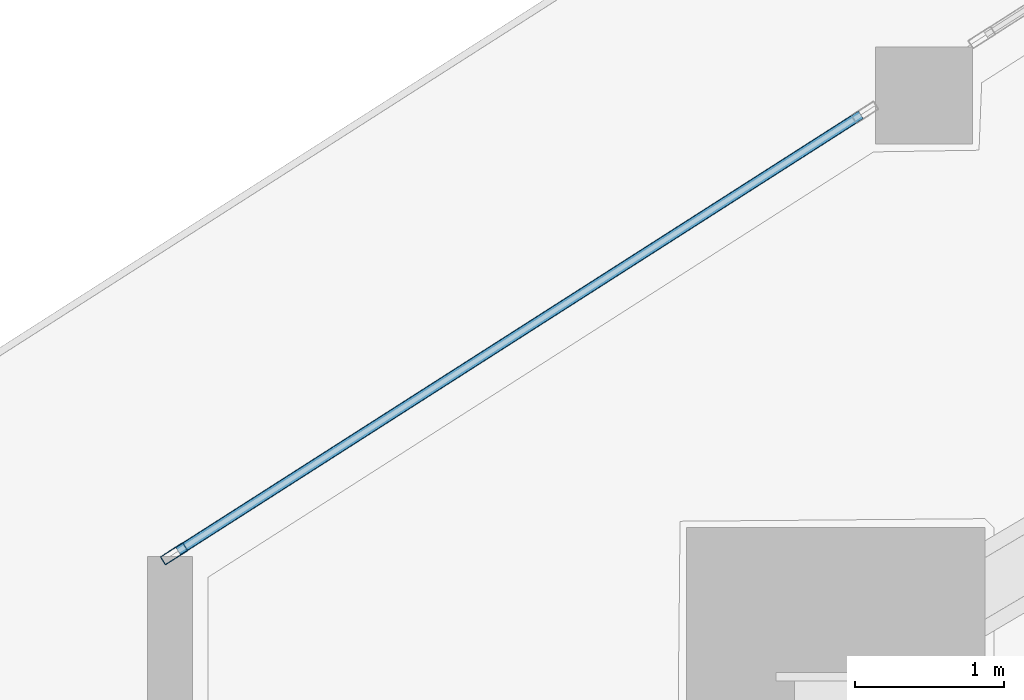
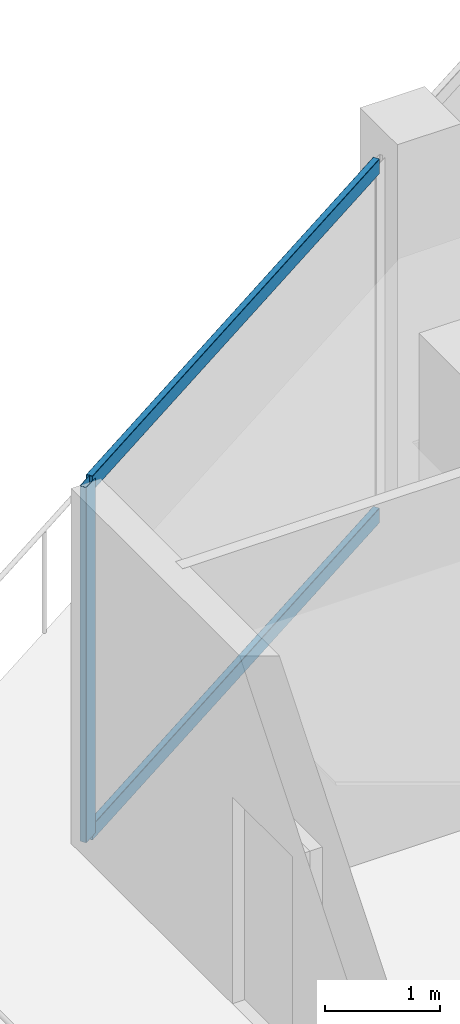
# One storey, part 8 of 43: 3 members, 1 element without a shape of its own.
"""IFC4 building model written with IfcOpenShell, lengths in metres."""

from ifc_helpers import new_model, si_unit, direction, frame, origin, origin_2d, place, context, subcontext, project, spatial, hollow_rectangle, extrude, material, layer, layer_set, material_profile, profile_set, type_object, element, aggregate, save


model = new_model("IFC4")

# Units and contexts
model_context = context("Model", 3, precision=1e-05, world=origin(), true_north=direction((0.0, 1.0)))
body_context = subcontext(model_context, "Body", "Model", "MODEL_VIEW")
ifc_project = project(units=[si_unit("LENGTHUNIT", "METRE"), si_unit("AREAUNIT", "SQUARE_METRE"), si_unit("VOLUMEUNIT", "CUBIC_METRE"), si_unit("PLANEANGLEUNIT", "RADIAN"), si_unit("MASSUNIT", "GRAM", prefix="KILO")], contexts=[model_context])

# Site, building, storey
site_placement = place(None, origin())
site = spatial("IfcSite", under=ifc_project, at=site_placement, CompositionType="ELEMENT")
building_placement = place(site_placement, origin())
building = spatial("IfcBuilding", under=site, at=building_placement, Name="Qorvath Tower", CompositionType="ELEMENT")
storey_placement = place(building_placement, frame((0.0, 0.0, 213.14990234375)))
storey = spatial("IfcBuildingStorey", under=building, at=storey_placement, Name="L49", CompositionType="ELEMENT", Elevation=213.14990234375)

# Curtain wall, members
ifc_material_1 = material(Name="Anodised aluminium and triple low-E glass", Category="aluminium")
ifc_layer = layer(ifc_material_1, 0.179931640625)
ifc_layer_set = layer_set([ifc_layer], Name="CW-SYS-3")
curtain_wall_type = type_object("IfcCurtainWallType", Name="CW-SYS-3", PredefinedType="NOTDEFINED", material=ifc_layer_set)
curtain_wall_placement = place(storey_placement, origin())
curtain_wall = element("IfcCurtainWall", 1, at=curtain_wall_placement, inside=storey, type_object=curtain_wall_type, Name="Curtain Wall CW-3 CW-T-L49-16.2", PredefinedType="NOTDEFINED")
ifc_material_2 = material(Name="Anodised aluminium 6063-T6", Category="aluminium")
ifc_material_profile_1 = material_profile(ifc_material_2, hollow_rectangle(XDim=0.06494140625, YDim=0.179931640625, WallThickness=0.00341796875, InnerFilletRadius=0.00341796875, OuterFilletRadius=0.007080078125, at=origin_2d()), Name="CWM 180x65")
ifc_profile_set_1 = profile_set([ifc_material_profile_1], Name="Anodised aluminium 6063-T6")
member_type_1 = type_object("IfcMemberType", Name="CWM-180", PredefinedType="MULLION", material=ifc_profile_set_1)
member_1_placement = place(storey_placement, frame((-53.60546875, 3.3525390625, 0.0), z_axis=(0.0, 0.0, 1.0), x_axis=(0.538536522375, -0.842602168326, 0.0)))
member_1 = element("IfcMember", 2, at=member_1_placement, type_object=member_type_1, Name="CW-3 mullion 2", PredefinedType="MULLION", context=body_context, shape_type="SweptSolid", body=[
    extrude(hollow_rectangle(XDim=0.06494140625, YDim=0.179931640625, WallThickness=0.00341796875, InnerFilletRadius=0.00341796875, OuterFilletRadius=0.007080078125, at=origin_2d()), origin(), (0.0, 0.0, 1.0), 3.780029296875),
])
ifc_material_3 = material(Name="Anodised aluminium 6063-T6", Category="aluminium")
ifc_material_profile_2 = material_profile(ifc_material_3, hollow_rectangle(XDim=0.06494140625, YDim=0.159912109375, WallThickness=0.00341796875, InnerFilletRadius=0.00341796875, OuterFilletRadius=0.007080078125, at=origin_2d()), Name="CWT 160x65")
ifc_profile_set_2 = profile_set([ifc_material_profile_2], Name="Anodised aluminium 6063-T6")
member_type_2 = type_object("IfcMemberType", Name="CWT-160", PredefinedType="USERDEFINED", material=ifc_profile_set_2)
member_2_placement = place(storey_placement, frame((-49.003173828125, 6.2939453125, 0.032470703125), z_axis=(-0.842617480253, -0.538512564358, 0.0), x_axis=(0.538512564358, -0.842617480253, 0.0)))
member_2 = element("IfcMember", 3, at=member_2_placement, type_object=member_type_2, Name="CW-3 transom 1.1", ObjectType="TRANSOM", PredefinedType="USERDEFINED", context=body_context, shape_type="SweptSolid", body=[
    extrude(hollow_rectangle(XDim=0.06494140625, YDim=0.159912109375, WallThickness=0.00341796875, InnerFilletRadius=0.00341796875, OuterFilletRadius=0.007080078125, at=origin_2d()), origin(), (0.0, 0.0, 1.0), 5.429443359375),
])
member_3_placement = place(storey_placement, frame((-49.003173828125, 6.2939453125, 3.74755859375), z_axis=(-0.842617480253, -0.538512564358, 0.0), x_axis=(0.538512564358, -0.842617480253, 0.0)))
member_3 = element("IfcMember", 4, at=member_3_placement, type_object=member_type_2, Name="CW-3 transom 1.2", ObjectType="TRANSOM", PredefinedType="USERDEFINED", context=body_context, shape_type="SweptSolid", body=[
    extrude(hollow_rectangle(XDim=0.06494140625, YDim=0.159912109375, WallThickness=0.00341796875, InnerFilletRadius=0.00341796875, OuterFilletRadius=0.007080078125, at=origin_2d()), origin(), (0.0, 0.0, 1.0), 5.429443359375),
])
aggregate(curtain_wall, [member_1, member_2, member_3])

save(model, "model.ifc")
